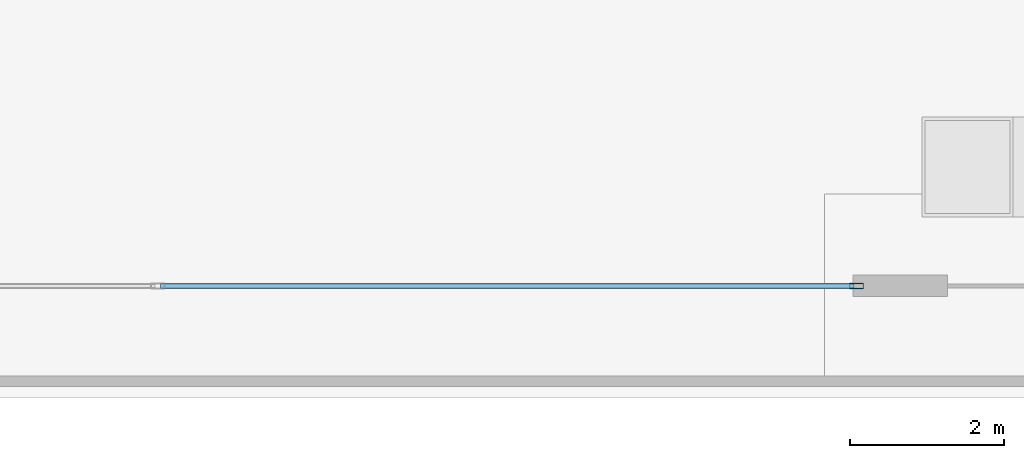
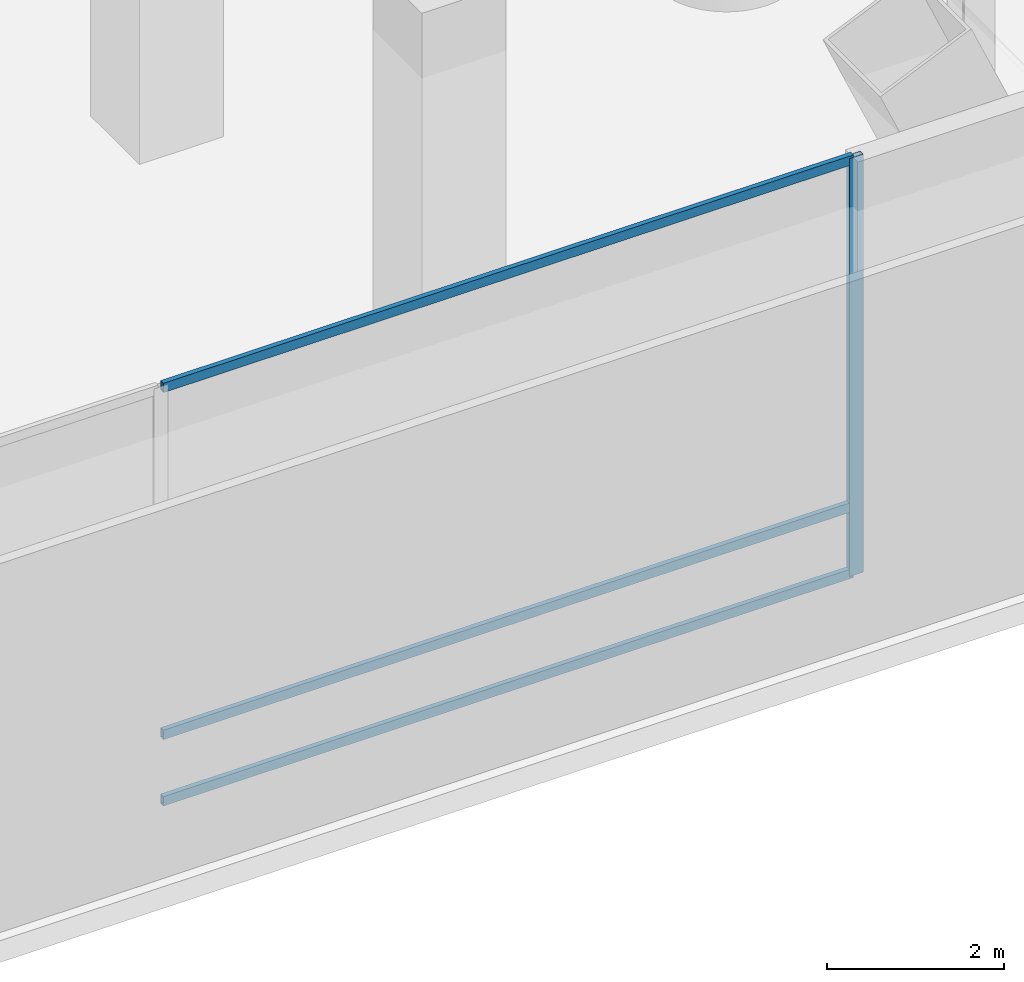
# One storey, part 8 of 40: 4 members, 1 element without a shape of its own.
"""IFC4 building model written with IfcOpenShell, lengths in metres."""

from ifc_helpers import new_model, si_unit, direction, frame, origin, origin_2d, place, context, subcontext, project, spatial, hollow_rectangle, extrude, material, layer, layer_set, material_profile, profile_set, type_object, element, aggregate, save


model = new_model("IFC4")

# Units and contexts
model_context = context("Model", 3, precision=1e-05, world=origin(), true_north=direction((0.0, 1.0)))
body_context = subcontext(model_context, "Body", "Model", "MODEL_VIEW")
ifc_project = project(units=[si_unit("LENGTHUNIT", "METRE"), si_unit("AREAUNIT", "SQUARE_METRE"), si_unit("VOLUMEUNIT", "CUBIC_METRE"), si_unit("PLANEANGLEUNIT", "RADIAN"), si_unit("MASSUNIT", "GRAM", prefix="KILO")], contexts=[model_context])

# Site, building, storey
site_placement = place(None, origin())
site = spatial("IfcSite", under=ifc_project, at=site_placement, CompositionType="ELEMENT")
building_placement = place(site_placement, origin())
building = spatial("IfcBuilding", under=site, at=building_placement, Name="Qianvela Tower", CompositionType="ELEMENT")
storey_placement = place(building_placement, origin())
storey = spatial("IfcBuildingStorey", under=building, at=storey_placement, Name="L00", CompositionType="ELEMENT", Elevation=0.0)

# Curtain wall, members
ifc_material_1 = material(Name="Anodised Architectural Aluminium and Low-E Glass", Category="aluminium")
ifc_layer = layer(ifc_material_1, 0.199951171875)
ifc_layer_set = layer_set([ifc_layer], Name="Anodised Architectural Aluminium and Low-E Glass")
curtain_wall_type = type_object("IfcCurtainWallType", Name="CW-CONCOURSE", PredefinedType="USERDEFINED", material=ifc_layer_set)
curtain_wall_placement = place(storey_placement, origin())
curtain_wall = element("IfcCurtainWall", 1, at=curtain_wall_placement, inside=storey, type_object=curtain_wall_type, Name="L00 CW-CONCOURSE Curtain Wall 01A", ObjectType="CURTAIN_WALL_SYSTEM", PredefinedType="USERDEFINED")
ifc_material_2 = material(Name="Anodised Architectural Aluminium 6063-T6", Category="aluminium")
ifc_material_profile_1 = material_profile(ifc_material_2, hollow_rectangle(XDim=0.070068359375, YDim=0.179931640625, WallThickness=0.0048828125, at=origin_2d()), Name="ALU-MULL-70x180")
ifc_profile_set_1 = profile_set([ifc_material_profile_1], Name="Anodised Architectural Aluminium 6063-T6")
member_type_1 = type_object("IfcMemberType", Name="CW-CONCOURSE-MULL", PredefinedType="MULLION", material=ifc_profile_set_1)
member_1_placement = place(storey_placement, frame((33.4150390625, 2.949951171875, 0.0), z_axis=(0.0, 0.0, 1.0), x_axis=(0.0, 1.0, 0.0)))
member_1 = element("IfcMember", 2, at=member_1_placement, type_object=member_type_1, Name="CW-1 mullion 4", PredefinedType="MULLION", context=body_context, shape_type="SweptSolid", body=[
    extrude(hollow_rectangle(XDim=0.070068359375, YDim=0.179931640625, WallThickness=0.0048828125, at=origin_2d()), origin(), (0.0, 0.0, 1.0), 5.780029296875),
])
ifc_material_3 = material(Name="Anodised Architectural Aluminium 6063-T6", Category="aluminium")
ifc_material_profile_2 = material_profile(ifc_material_3, hollow_rectangle(XDim=0.06494140625, YDim=0.1298828125, WallThickness=0.00439453125, at=origin_2d()), Name="ALU-TRAN-65x130")
ifc_profile_set_2 = profile_set([ifc_material_profile_2], Name="Anodised Architectural Aluminium 6063-T6")
member_type_2 = type_object("IfcMemberType", Name="CW-CONCOURSE-TRAN", PredefinedType="USERDEFINED", material=ifc_profile_set_2)
member_2_placement = place(storey_placement, frame((24.3515625, 2.949951171875, 0.032470703125), z_axis=(1.0, 0.0, 0.0), x_axis=(0.0, 1.0, 0.0)))
member_2 = element("IfcMember", 3, at=member_2_placement, type_object=member_type_2, Name="CW-1 transom 3.1", ObjectType="TRANSOM", PredefinedType="USERDEFINED", context=body_context, shape_type="SweptSolid", body=[
    extrude(hollow_rectangle(XDim=0.06494140625, YDim=0.1298828125, WallThickness=0.00439453125, at=origin_2d()), origin(), (0.0, 0.0, 1.0), 9.0283203125),
])
member_3_placement = place(storey_placement, frame((24.3515625, 2.949951171875, 0.949951171875), z_axis=(1.0, 0.0, 0.0), x_axis=(0.0, 1.0, 0.0)))
member_3 = element("IfcMember", 4, at=member_3_placement, type_object=member_type_2, Name="CW-1 transom 3.2", ObjectType="TRANSOM", PredefinedType="USERDEFINED", context=body_context, shape_type="SweptSolid", body=[
    extrude(hollow_rectangle(XDim=0.06494140625, YDim=0.1298828125, WallThickness=0.00439453125, at=origin_2d()), origin(), (0.0, 0.0, 1.0), 9.0283203125),
])
member_4_placement = place(storey_placement, frame((24.3515625, 2.949951171875, 5.74755859375), z_axis=(1.0, 0.0, 0.0), x_axis=(0.0, 1.0, 0.0)))
member_4 = element("IfcMember", 5, at=member_4_placement, type_object=member_type_2, Name="CW-1 transom 3.3", ObjectType="TRANSOM", PredefinedType="USERDEFINED", context=body_context, shape_type="SweptSolid", body=[
    extrude(hollow_rectangle(XDim=0.06494140625, YDim=0.1298828125, WallThickness=0.00439453125, at=origin_2d()), origin(), (0.0, 0.0, 1.0), 9.0283203125),
])
aggregate(curtain_wall, [member_1, member_2, member_3, member_4])

save(model, "model.ifc")
